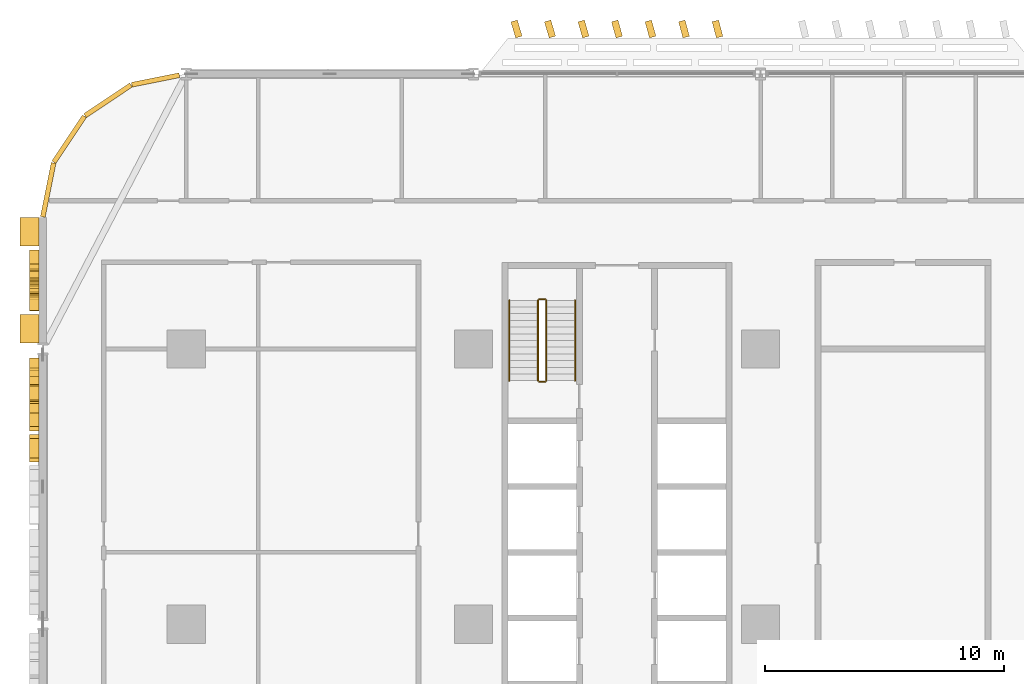
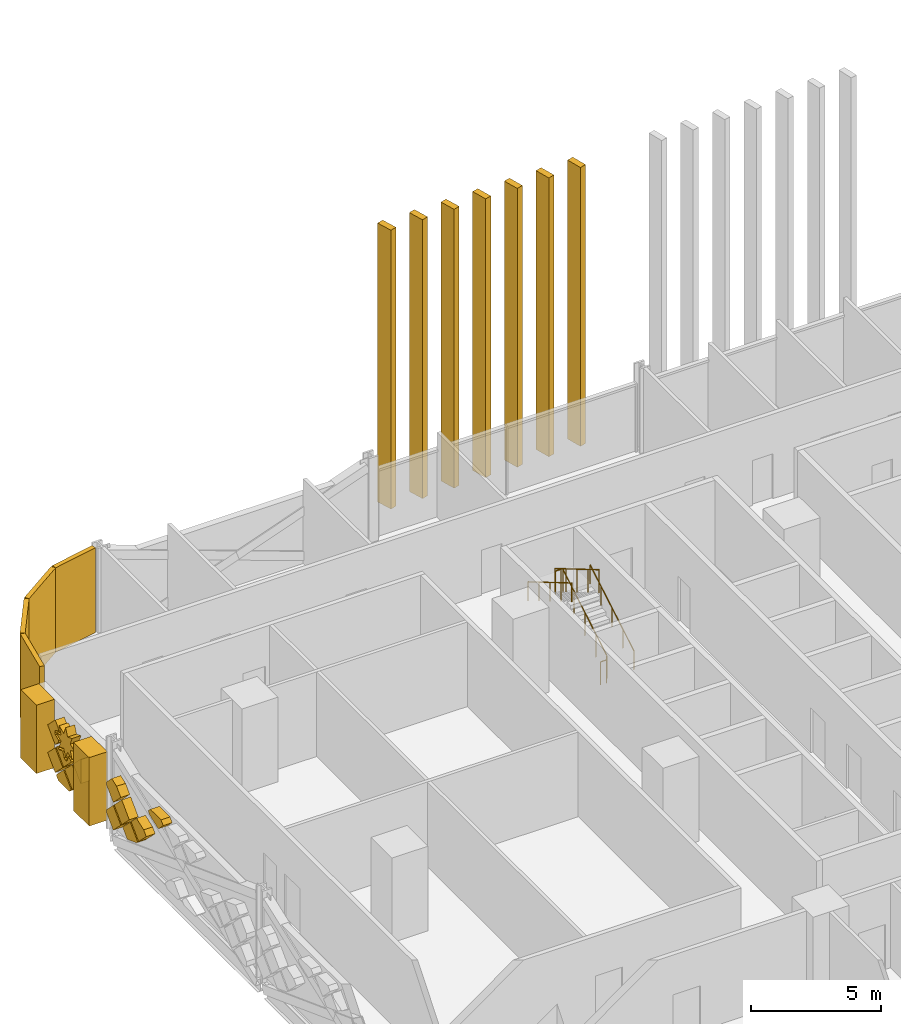
# One storey, part 25 of 29: 26 coverings, 6 railings.
"""IFC4 building model written with IfcOpenShell, lengths in metres."""

import ifcopenshell
import ifcopenshell.guid

model = None  # the IFC model being written
_history = None  # IfcOwnerHistory: only IFC2X3 demands one
_inside = {}  # id of a spatial element -> (the spatial element, [elements in it])
_under = {}  # id of a project, library or spatial element -> (it, [spatial elements below it])
_declared = {}  # id of a project -> (the project, [libraries it declares])
_typed = {}  # id of a type object -> (the type object, [elements of that type])
_made_of = {}  # id of a material, layer set ... -> (it, [elements and type objects made of it])


def new_model(schema):
    """Start an empty IFC model of exactly this schema.

    Asked for "IFC4X3", IfcOpenShell would pick the latest addendum, in which some entities
    have other attributes; the version numbers below select the first issue.
    IFC2X3 requires an IfcOwnerHistory on every rooted entity: one is made here for all.
    """
    global model, _history
    if schema == "IFC4X3":
        model = ifcopenshell.file(schema_version=(4, 3, 0, 0))
    else:
        model = ifcopenshell.file(schema=schema)
    _inside.clear()
    _under.clear()
    _declared.clear()
    _typed.clear()
    _made_of.clear()
    _history = None
    if model.schema == "IFC2X3":
        org = make("IfcOrganization", Name="unknown")
        user = make(
            "IfcPersonAndOrganization",
            ThePerson=make("IfcPerson", FamilyName="unknown"),
            TheOrganization=org,
        )
        app = make(
            "IfcApplication",
            ApplicationDeveloper=org,
            Version="unknown",
            ApplicationFullName="unknown",
            ApplicationIdentifier="unknown",
        )
        _history = make(
            "IfcOwnerHistory",
            OwningUser=user,
            OwningApplication=app,
            ChangeAction="ADDED",
            CreationDate=0,
        )
    return model


def make(cls, **values):
    """One entity of the class cls with the attributes given. An attribute that is None is left unset."""
    return model.create_entity(
        cls, **{name: value for name, value in values.items() if value is not None}
    )


def rooted(cls, **values):
    """An entity with a GlobalId (a new one), such as an element, a storey or a relation."""
    return make(cls, GlobalId=ifcopenshell.guid.new(), OwnerHistory=_history, **values)


def si_unit(unit_type, name, prefix=None):
    """IfcSIUnit, for example si_unit("LENGTHUNIT", "METRE", prefix="MILLI")."""
    return make("IfcSIUnit", UnitType=unit_type, Prefix=prefix, Name=name)


def assignment(units):
    """IfcUnitAssignment: the units of a project."""
    return None if units is None else make("IfcUnitAssignment", Units=units)


def point(xyz):
    """IfcCartesianPoint."""
    return None if xyz is None else make("IfcCartesianPoint", Coordinates=xyz)


def direction(xyz):
    """IfcDirection."""
    return None if xyz is None else make("IfcDirection", DirectionRatios=xyz)


def frame(location, z_axis=None, x_axis=None):
    """IfcAxis2Placement3D, a coordinate frame: its origin and axes. An axis left out is left unset."""
    return make(
        "IfcAxis2Placement3D",
        Location=point(location),
        Axis=direction(z_axis),
        RefDirection=direction(x_axis),
    )


def frame_2d(location, x_axis=None):
    """IfcAxis2Placement2D, a coordinate frame in the plane: its origin and x axis."""
    return make(
        "IfcAxis2Placement2D", Location=point(location), RefDirection=direction(x_axis)
    )


def origin():
    """The frame at (0, 0, 0) with its axes left unset."""
    return frame((0.0, 0.0, 0.0))


def origin_2d():
    """The frame at (0, 0) in the plane with its x axis left unset."""
    return frame_2d((0.0, 0.0))


def place(relative_to, where):
    """IfcLocalPlacement: puts the frame where relative to a parent placement (None: the world)."""
    return make(
        "IfcLocalPlacement", PlacementRelTo=relative_to, RelativePlacement=where
    )


def context(
    kind, dimensions, precision=None, world=None, true_north=None, identifier=None
):
    """IfcGeometricRepresentationContext, for example the 3D "Model" context."""
    return make(
        "IfcGeometricRepresentationContext",
        ContextIdentifier=identifier,
        ContextType=kind,
        CoordinateSpaceDimension=dimensions,
        Precision=precision,
        WorldCoordinateSystem=world,
        TrueNorth=true_north,
    )


def subcontext(parent, identifier, kind, view, scale=None):
    """IfcGeometricRepresentationSubContext, for example "Body" below "Model"."""
    return make(
        "IfcGeometricRepresentationSubContext",
        ContextIdentifier=identifier,
        ContextType=kind,
        ParentContext=parent,
        TargetScale=scale,
        TargetView=view,
    )


def project(units=None, contexts=None):
    """IfcProject with its units and contexts."""
    return rooted(
        "IfcProject",
        Name="project",
        RepresentationContexts=contexts,
        UnitsInContext=assignment(units),
    )


def spatial(cls, under=None, at=None, **own):
    """A site, building, storey or space (cls), placed at a placement, below another one or the project."""
    s = rooted(cls, ObjectPlacement=at, **own)
    if under is not None:
        _under.setdefault(under.id(), (under, []))[1].append(s)
    return s


def polyline(points):
    """IfcPolyline through the points."""
    return make("IfcPolyline", Points=[point(p) for p in points])


def profile(cls, at=None, kind="AREA", **sizes):
    """A parametric profile (cls). Its sizes go by their IFC names, for example OverallWidth=200.0."""
    return make(cls, ProfileType=kind, Position=at, **sizes)


def rectangle(**sizes):
    """IfcRectangleProfileDef."""
    return profile("IfcRectangleProfileDef", **sizes)


def circle(**sizes):
    """IfcCircleProfileDef."""
    return profile("IfcCircleProfileDef", **sizes)


def outline(outer, holes=None, kind="AREA"):
    """IfcArbitraryClosedProfileDef: a profile drawn as a closed curve; with holes, ...WithVoids."""
    if holes is None:
        return make("IfcArbitraryClosedProfileDef", ProfileType=kind, OuterCurve=outer)
    return make(
        "IfcArbitraryProfileDefWithVoids",
        ProfileType=kind,
        OuterCurve=outer,
        InnerCurves=holes,
    )


def extrude(swept, where, along, depth):
    """IfcExtrudedAreaSolid: the profile swept, set in the frame where, extruded along a direction by depth."""
    return make(
        "IfcExtrudedAreaSolid",
        SweptArea=swept,
        Position=where,
        ExtrudedDirection=direction(along),
        Depth=depth,
    )


def shape(context_of_items, identifier, shape_type, items):
    """IfcShapeRepresentation: the items that make up one representation, for example the "Body"."""
    return make(
        "IfcShapeRepresentation",
        ContextOfItems=context_of_items,
        RepresentationIdentifier=identifier,
        RepresentationType=shape_type,
        Items=items,
    )


def material(Name=None, Category=None):
    """IfcMaterial."""
    return make("IfcMaterial", Name=Name, Category=Category)


def layer(
    of_material, thickness, ventilated=None, Name=None, Category=None, Priority=None
):
    """IfcMaterialLayer: one layer of a wall or slab, of a material (None: an air gap)."""
    return make(
        "IfcMaterialLayer",
        Material=of_material,
        LayerThickness=thickness,
        IsVentilated=ventilated,
        Name=Name,
        Category=Category,
        Priority=Priority,
    )


def layer_set(layers, Name=None):
    """IfcMaterialLayerSet."""
    return make("IfcMaterialLayerSet", MaterialLayers=layers, LayerSetName=Name)


def made_of(thing, what):
    """Note that an element or type object is made of a material, layer set ...; save() writes the relation."""
    if what is not None:
        _made_of.setdefault(what.id(), (what, []))[1].append(thing)
    return thing


def type_object(cls, material=None, **own):
    """A type object (cls), such as IfcWallType, which elements share."""
    return made_of(rooted(cls, **own), material)


def element(
    cls,
    number,
    at=None,
    inside=None,
    cuts=None,
    type_object=None,
    material=None,
    context=None,
    identifier="Body",
    shape_type=None,
    held_by="IfcProductDefinitionShape",
    body=None,
    shapes=None,
    **own,
):
    """One element of the class cls, such as IfcWall. Its Tag is "e" and its number.

    at: its placement. inside: the storey or other place that contains it. cuts: it is an
    opening in that element (IfcRelVoidsElement). A single representation is given by context,
    identifier, shape_type and body (its items); several are given by shapes. held_by: the class
    of the entity that holds the representations. save() writes the other relations.
    """
    e = rooted(cls, Tag="e%d" % number, ObjectPlacement=at, **own)
    if body is not None:
        shapes = [shape(context, identifier, shape_type, body)]
    if shapes is not None:
        e.Representation = make(held_by, Representations=shapes)
    if inside is not None:
        _inside.setdefault(inside.id(), (inside, []))[1].append(e)
    if cuts is not None:
        rooted(
            "IfcRelVoidsElement", RelatingBuildingElement=cuts, RelatedOpeningElement=e
        )
    if type_object is not None:
        _typed.setdefault(type_object.id(), (type_object, []))[1].append(e)
    return made_of(e, material)


def aggregate(whole, parts):
    """IfcRelAggregates: a whole, such as a stair, and the parts it consists of."""
    return rooted("IfcRelAggregates", RelatingObject=whole, RelatedObjects=parts)


def save(model, path):
    """Write the relations noted so far, then the file.

    IfcRelAggregates (storeys below a building ...), IfcRelContainedInSpatialStructure (elements
    in a storey), IfcRelDefinesByType, IfcRelAssociatesMaterial and IfcRelDeclares: one each for
    every whole, place, type object, material and project.
    """
    for whole, parts in _under.values():
        aggregate(whole, parts)
    for where, things in _inside.values():
        rooted(
            "IfcRelContainedInSpatialStructure",
            RelatedElements=things,
            RelatingStructure=where,
        )
    for kind, things in _typed.values():
        rooted("IfcRelDefinesByType", RelatedObjects=things, RelatingType=kind)
    for what, things in _made_of.values():
        rooted("IfcRelAssociatesMaterial", RelatedObjects=things, RelatingMaterial=what)
    for by, libraries in _declared.values():
        rooted("IfcRelDeclares", RelatingContext=by, RelatedDefinitions=libraries)
    model.write(path)


model = new_model("IFC4")

# Units and contexts
model_context = context("Model", 3, precision=1e-05, world=origin(), true_north=direction((0.0, 1.0)))
body_context = subcontext(model_context, "Body", "Model", "MODEL_VIEW")
ifc_project = project(units=[si_unit("LENGTHUNIT", "METRE"), si_unit("AREAUNIT", "SQUARE_METRE"), si_unit("VOLUMEUNIT", "CUBIC_METRE"), si_unit("PLANEANGLEUNIT", "RADIAN"), si_unit("MASSUNIT", "GRAM", prefix="KILO")], contexts=[model_context])

# Site, building, storey
site_placement = place(None, origin())
site = spatial("IfcSite", under=ifc_project, at=site_placement, CompositionType="ELEMENT")
building_placement = place(site_placement, origin())
building = spatial("IfcBuilding", under=site, at=building_placement, Name="Mahtab Terrace Research Tower", CompositionType="ELEMENT")
storey_placement = place(building_placement, frame((0.0, 0.0, 24.39990234375)))
storey = spatial("IfcBuildingStorey", under=building, at=storey_placement, Name="L05", CompositionType="ELEMENT", Elevation=24.39990234375)

# Coverings
ifc_material_1 = material(Name="Black aluminium cladding panel", Category="aluminium")
ifc_layer_1 = layer(ifc_material_1, 0.199951171875)
ifc_layer_set_1 = layer_set([ifc_layer_1], Name="Black metal corner cladding 200")
covering_type_1 = type_object("IfcCoveringType", Name="Black metal corner cladding 200", PredefinedType="CLADDING", material=ifc_layer_set_1)
covering_1_placement = place(storey_placement, frame((-43.28173828125, 22.744873046875, 0.0), z_axis=(0.0, 0.0, 1.0), x_axis=(-0.980760981187, -0.195212442692, 0.0)))
element("IfcCovering", 1, at=covering_1_placement, inside=storey, type_object=covering_type_1, Name="Corner cladding L05 10", PredefinedType="CLADDING", context=body_context, shape_type="SweptSolid", body=[
    extrude(rectangle(XDim=2.0283203125, YDim=0.199951171875, at=origin_2d()), origin(), (0.0, 0.0, 1.0), 3.9599609375),
])
for number, where, z_axis, x_axis, name in (
    (2, (-45.26953125, 21.89306640625, 0.0), (0.0, 0.0, 1.0), (-0.831655794326, -0.555291490808, 0.0), "Corner cladding L05 11"),
    (3, (-46.89306640625, 20.26953125, 0.0), (0.0, 0.0, 1.0), (-0.555291490808, -0.831655794326, 0.0), "Corner cladding L05 12"),
    (4, (-47.771484375, 18.14794921875, 0.0), (0.0, 0.0, 1.0), (-0.195212442692, -0.980760981187, 0.0), "Corner cladding L05 13"),
):
    element("IfcCovering", number, at=place(storey_placement, frame(where, z_axis=z_axis, x_axis=x_axis)), inside=storey, type_object=covering_type_1, Name=name, PredefinedType="CLADDING", context=body_context, shape_type="SweptSolid", body=[
        extrude(rectangle(XDim=2.30126953125, YDim=0.199951171875, at=origin_2d()), origin(), (0.0, 0.0, 1.0), 3.9599609375),
    ])
ifc_material_2 = material(Name="Bronze anodised aluminium", Category="aluminium")
ifc_layer_2 = layer(ifc_material_2, 0.39990234375)
ifc_layer_set_2 = layer_set([ifc_layer_2], Name="Mashrabiya relief panel 400")
covering_type_2 = type_object("IfcCoveringType", Name="Mashrabiya relief panel 400", PredefinedType="CLADDING", material=ifc_layer_set_2)
covering_2_placement = place(storey_placement, frame((-48.14990234375, 14.10498046875, 2.60107421875), z_axis=(1.0, 0.0, 0.0), x_axis=(0.0, -0.924784909208, 0.380490304346)))
element("IfcCovering", 5, at=covering_2_placement, inside=storey, type_object=covering_type_2, Name="Girih star panel L05 W14.1", PredefinedType="CLADDING", context=body_context, shape_type="SweptSolid", body=[
    extrude(outline(polyline([(0.0, 0.0), (0.3785719822676483, 0.0), (0.11215445471266995, 0.26895807623038387), (0.37961207055159285, 0.5358142483447127), (0.0017974035497291263, 0.5371818243111587), (0.0018902966904386642, 0.9155280290130825), (-0.2670677795399452, 0.6491105014581041), (-0.5340168447949836, 0.9167938948627515), (-0.53529152762072, 0.5387534502951633), (-0.9138635098883683, 0.5387534502951632), (-0.6475388754740995, 0.270021151630504), (-0.9149964913130224, 0.0031649795161750593), (-0.5371818243111587, 0.0017974035497291263), (-0.5371818243111587, -0.3767745787179192), (-0.2682237480807748, -0.11035705116294083), (-0.0012746828257363951, -0.3780404445675883), (0.0, 0.0)])), origin(), (0.0, 0.0, -1.0), 0.39990234375),
])
covering_3_placement = place(storey_placement, frame((-48.14990234375, 15.050048828125, 1.530029296875), z_axis=(1.0, 0.0, 0.0), x_axis=(0.0, -0.707255598772, -0.706957932274)))
element("IfcCovering", 6, at=covering_3_placement, inside=storey, type_object=covering_type_2, Name="Mashrabiya lattice cell L05 W14.2", PredefinedType="CLADDING", context=body_context, shape_type="SweptSolid", body=[
    extrude(outline(polyline([(0.0, 0.0), (0.8201817362875763, 0.0), (0.8200090664636573, 0.8203543334390104), (-0.00017259715143413956, 0.8200090664636573), (0.0, 0.0)])), origin(), (0.0, 0.0, -1.0), 0.39990234375),
])
covering_4_placement = place(storey_placement, frame((-48.14990234375, 15.050048828125, 1.670166015625), z_axis=(1.0, 0.0, 0.0), x_axis=(0.0, 0.707106781187, 0.707106781187)))
element("IfcCovering", 7, at=covering_4_placement, inside=storey, type_object=covering_type_2, Name="Mashrabiya lattice cell L05 W14.3", PredefinedType="CLADDING", context=body_context, shape_type="SweptSolid", body=[
    extrude(outline(polyline([(0.0, 0.0), (0.8200090846279543, 0.0), (0.820181718119455, 0.820181718119455), (0.5218710448063802, 0.820181718119455), (0.3711620067263372, 0.7571704937217278), (0.46869992942418864, 0.5184183749763678), (0.4595503543746557, 0.4184635833975076), (0.40517080455195975, 0.3627029656428068), (0.32817626734268235, 0.34647541744174826), (0.0628385909062264, 0.4488470779016171), (0.0, 0.29831067331307476), (0.0, 0.0)])), origin(), (0.0, 0.0, -1.0), 0.39990234375),
])
covering_5_placement = place(storey_placement, frame((-48.14990234375, 14.97998046875, 0.300048828125), z_axis=(1.0, 0.0, 0.0), x_axis=(0.0, -0.707106781187, 0.707106781187)))
element("IfcCovering", 8, at=covering_5_placement, inside=storey, type_object=covering_type_2, Name="Mashrabiya lattice cell L05 W14.4", PredefinedType="CLADDING", context=body_context, shape_type="SweptSolid", body=[
    extrude(outline(polyline([(0.0, 0.0), (0.8203543516109556, 0.0), (0.820181718119455, 0.820181718119455), (0.5867812376106141, 0.8201817181194551), (0.0, 0.2334004805088409), (0.0, 0.0)])), origin(), (0.0, 0.0, -1.0), 0.39990234375),
])
covering_6_placement = place(storey_placement, frame((-48.14990234375, 13.820068359375, 1.60009765625), z_axis=(1.0, 0.0, 0.0), x_axis=(0.0, 0.706957932274, -0.707255598772)))
element("IfcCovering", 9, at=covering_6_placement, inside=storey, type_object=covering_type_2, Name="Mashrabiya lattice cell L05 W14.5", PredefinedType="CLADDING", context=body_context, shape_type="SweptSolid", body=[
    extrude(outline(polyline([(0.0, 0.0), (0.8201817362875763, 0.0), (0.8200090664636573, 0.8203543334390104), (0.6674010633575788, 0.8203222122007225), (0.6765677525746102, 0.7390137653259107), (0.6382583068597403, 0.6668449008312943), (0.37104724865108085, 0.5452546770037502), (0.47226359601594403, 0.2928858110586709), (0.46796145758741753, 0.22780207779854778), (0.436208087417592, 0.1746242777255646), (0.3802821046588682, 0.14008580724771275), (0.3152001882108655, 0.13575627129241125), (0.06278873618968497, 0.23686637148447576), (-1.8168121203594734e-05, 0.08631674383827972), (0.0, 0.0)])), origin(), (0.0, 0.0, -1.0), 0.39990234375),
])
covering_7_placement = place(storey_placement, frame((-48.14990234375, 13.75, 1.530029296875), z_axis=(1.0, 0.0, 0.0), x_axis=(0.0, -0.707255598772, -0.706957932274)))
element("IfcCovering", 10, at=covering_7_placement, inside=storey, type_object=covering_type_2, Name="Mashrabiya lattice cell L05 W14.6", PredefinedType="CLADDING", context=body_context, shape_type="SweptSolid", body=[
    extrude(outline(polyline([(0.0, 0.0), (0.8201817362875763, 0.0), (0.8200090664636573, 0.8203543334390104), (-0.0003452669753531423, 0.8201816636150915), (0.0, 0.0)])), origin(), (0.0, 0.0, -1.0), 0.39990234375),
])
covering_8_placement = place(storey_placement, frame((-48.14990234375, 13.10009765625, 1.02001953125), z_axis=(1.0, 0.0, 0.0), x_axis=(0.0, 0.706957932274, 0.707255598772)))
element("IfcCovering", 11, at=covering_8_placement, inside=storey, type_object=covering_type_2, Name="Mashrabiya lattice cell L05 W14.7", PredefinedType="CLADDING", context=body_context, shape_type="SweptSolid", body=[
    extrude(outline(polyline([(0.0, 0.0), (0.8201817362875763, 0.0), (0.8205270032629295, 0.8201816636150915), (0.7977393828896235, 0.8201864599990892), (4.796383997748149e-06, 0.022787620373305846), (0.0, 0.0)])), origin(), (0.0, 0.0, -1.0), 0.39990234375),
])
covering_9_placement = place(storey_placement, frame((-48.14990234375, 10.60107421875, 1.530029296875), z_axis=(1.0, 0.0, 0.0), x_axis=(0.0, -0.707255598772, -0.706957932274)))
element("IfcCovering", 12, at=covering_9_placement, inside=storey, type_object=covering_type_2, Name="Mashrabiya lattice cell L05 W15.1", PredefinedType="CLADDING", context=body_context, shape_type="SweptSolid", body=[
    extrude(outline(polyline([(0.0, 0.0), (0.8201817362875763, 0.0), (0.8200090664636573, 0.8203543334390104), (0.09184101544392964, 0.8202010671685369), (-0.0001532662704735177, 0.7281680510197277), (0.0, 0.0)])), origin(), (0.0, 0.0, -1.0), 0.39990234375),
])
covering_10_placement = place(storey_placement, frame((-48.14990234375, 10.02099609375, 2.25), z_axis=(1.0, 0.0, 0.0), x_axis=(0.0, 0.707255598772, -0.706957932274)))
element("IfcCovering", 13, at=covering_10_placement, inside=storey, type_object=covering_type_2, Name="Mashrabiya lattice cell L05 W15.2", PredefinedType="CLADDING", context=body_context, shape_type="SweptSolid", body=[
    extrude(outline(polyline([(0.0, 0.0), (0.8201817362875763, 0.0), (0.8203350025580498, 0.7281680510197277), (0.7283407208436468, 0.8202010671685369), (0.16417448311665045, 0.8203198140087236), (-7.557938420696408e-05, 0.4611040819203327), (0.0, 0.0)])), origin(), (0.0, 0.0, -1.0), 0.39990234375),
])
covering_11_placement = place(storey_placement, frame((-48.14990234375, 9.950927734375, 2.18017578125), z_axis=(1.0, 0.0, 0.0), x_axis=(0.0, -0.706957932274, -0.707255598772)))
element("IfcCovering", 14, at=covering_11_placement, inside=storey, type_object=covering_type_2, Name="Mashrabiya lattice cell L05 W15.3", PredefinedType="CLADDING", context=body_context, shape_type="SweptSolid", body=[
    extrude(outline(polyline([(0.0, 0.0), (0.8201817362875763, 0.0), (0.8205270032629295, 0.8201816636150915), (0.00017266982391900276, 0.8203543334390104), (0.0, 0.0)])), origin(), (0.0, 0.0, -1.0), 0.39990234375),
])
covering_12_placement = place(storey_placement, frame((-48.14990234375, 9.881103515625, 0.9501953125), z_axis=(1.0, 0.0, 0.0), x_axis=(0.0, -0.707255598772, 0.706957932274)))
element("IfcCovering", 15, at=covering_12_placement, inside=storey, type_object=covering_type_2, Name="Mashrabiya lattice cell L05 W15.4", PredefinedType="CLADDING", context=body_context, shape_type="SweptSolid", body=[
    extrude(outline(polyline([(0.0, 0.0), (0.8201817362875763, 0.0), (0.8205270032629295, 0.8201816636150915), (0.697266693061866, 0.8202076076921702), (0.00010602915534418944, 0.5037445170402004), (0.0, 0.0)])), origin(), (0.0, 0.0, -1.0), 0.39990234375),
])
covering_13_placement = place(storey_placement, frame((-48.14990234375, 8.071044921875, 1.60009765625), z_axis=(1.0, 0.0, 0.0), x_axis=(0.0, 0.706957932274, -0.707255598772)))
element("IfcCovering", 16, at=covering_13_placement, inside=storey, type_object=covering_type_2, Name="Mashrabiya lattice cell L05 W15.5", PredefinedType="CLADDING", context=body_context, shape_type="SweptSolid", body=[
    extrude(outline(polyline([(0.0, 0.0), (0.8201817362875763, 0.0), (0.8200090664636573, 0.8203543334390104), (0.2444490185500081, 0.8202331884068248), (-5.922807512373507e-05, 0.28139258491279184), (0.0, 0.0)])), origin(), (0.0, 0.0, -1.0), 0.39990234375),
])
covering_14_placement = place(storey_placement, frame((-48.14990234375, 7.930908203125, 2.900146484375), z_axis=(1.0, 0.0, 0.0), x_axis=(0.0, -0.707106781187, 0.707106781187)))
element("IfcCovering", 17, at=covering_14_placement, inside=storey, type_object=covering_type_2, Name="Mashrabiya lattice cell L05 W15.6", PredefinedType="CLADDING", context=body_context, shape_type="SweptSolid", body=[
    extrude(outline(polyline([(0.0, 0.0), (0.2375436843048558, 0.0), (0.820181718119455, 0.5826380338145992), (0.820181718119455, 0.820181718119455), (0.2926137680935542, 0.820181718119455), (0.0, 0.1767766952966369), (0.0, 0.0)])), origin(), (0.0, 0.0, -1.0), 0.39990234375),
])
ifc_material_3 = material(Name="Glazed ceramic tile cladding", Category="masonry")
ifc_layer_3 = layer(ifc_material_3, 0.800048828125)
ifc_layer_set_3 = layer_set([ifc_layer_3], Name="Pishtaq frame pier 800")
covering_type_3 = type_object("IfcCoveringType", Name="Pishtaq frame pier 800", PredefinedType="CLADDING", material=ifc_layer_set_3)
for number, where, z_axis, x_axis, name in (
    (18, (-48.550048828125, 16.39990234375, 0.00048828125), (0.0, 0.0, 1.0), (0.0, -1.0, 0.0), "Pishtaq frame pier 14a"),
    (19, (-48.550048828125, 12.34912109375, 0.00048828125), (0.0, 0.0, 1.0), (0.0, -1.0, 0.0), "Pishtaq frame pier 14b"),
):
    element("IfcCovering", number, at=place(storey_placement, frame(where, z_axis=z_axis, x_axis=x_axis)), inside=storey, type_object=covering_type_3, Name=name, PredefinedType="CLADDING", context=body_context, shape_type="SweptSolid", body=[
        extrude(rectangle(XDim=1.199951171875, YDim=0.800048828125, at=origin_2d()), origin(), (0.0, 0.0, 1.0), 3.202880859375),
    ])

# Railings
ifc_material_4 = material(Name="Stainless steel AISI 304", Category="steel")
railing_type_1 = type_object("IfcRailingType", Name="Stair guard 1100", PredefinedType="GUARDRAIL", material=ifc_material_4)
railing_1_placement = place(storey_placement, frame((-26.949951171875, 10.175048828125, 0.16552734375)))
element("IfcRailing", 20, at=railing_1_placement, inside=storey, type_object=railing_type_1, Name="L05 ST1 stair guard 1", PredefinedType="GUARDRAIL", context=body_context, shape_type="SweptSolid", body=[
    extrude(circle(Radius=0.02392578125, at=origin_2d()), frame((0.0, 0.0, 1.076171875), z_axis=(0.0, 0.861011212953, 0.508585972249), x_axis=(-1.0, 0.0, 0.0)), (0.0, 0.0, 1.0), 3.90234375),
    extrude(circle(Radius=0.02099609375, at=origin_2d()), origin(), (0.0, 0.0, 1.0), 1.052001953125),
    extrude(circle(Radius=0.02099609375, at=origin_2d()), frame((0.0, 0.83984375, 0.49609375)), (0.0, 0.0, 1.0), 1.052001953125),
    extrude(circle(Radius=0.02099609375, at=origin_2d()), frame((0.0, 1.679931640625, 0.9921875)), (0.0, 0.0, 1.0), 1.052001953125),
    extrude(circle(Radius=0.02099609375, at=origin_2d()), frame((0.0, 2.52001953125, 1.488525390625)), (0.0, 0.0, 1.0), 1.052001953125),
    extrude(circle(Radius=0.02099609375, at=origin_2d()), frame((0.0, 3.35986328125, 1.984619140625)), (0.0, 0.0, 1.0), 1.052001953125),
])
railing_2_placement = place(storey_placement, frame((-27.0, 13.5849609375, 2.150146484375)))
element("IfcRailing", 21, at=railing_2_placement, inside=storey, type_object=railing_type_1, Name="L05 ST1 stair guard 2", PredefinedType="GUARDRAIL", context=body_context, shape_type="SweptSolid", body=[
    extrude(circle(Radius=0.02392578125, at=origin_2d()), frame((0.0, 0.0, 1.076171875), z_axis=(-1.0, 0.0, 0.0), x_axis=(0.0, -1.0, 0.0)), (0.0, 0.0, 1.0), 0.25),
    extrude(circle(Radius=0.02099609375, at=origin_2d()), origin(), (0.0, 0.0, 1.0), 1.052001953125),
    extrude(circle(Radius=0.02099609375, at=origin_2d()), frame((-0.25, 0.0, 0.0)), (0.0, 0.0, 1.0), 1.052001953125),
])
railing_3_placement = place(storey_placement, frame((-27.300048828125, 13.534912109375, 2.3154296875)))
element("IfcRailing", 22, at=railing_3_placement, inside=storey, type_object=railing_type_1, Name="L05 ST1 stair guard 3", PredefinedType="GUARDRAIL", context=body_context, shape_type="SweptSolid", body=[
    extrude(circle(Radius=0.02392578125, at=origin_2d()), frame((0.0, 0.0, 1.076171875), z_axis=(0.0, -0.861011212953, 0.508585972249), x_axis=(1.0, 0.0, 0.0)), (0.0, 0.0, 1.0), 3.90234375),
    extrude(circle(Radius=0.02099609375, at=origin_2d()), origin(), (0.0, 0.0, 1.0), 1.052001953125),
    extrude(circle(Radius=0.02099609375, at=origin_2d()), frame((0.0, -0.83984375, 0.49609375)), (0.0, 0.0, 1.0), 1.052001953125),
    extrude(circle(Radius=0.02099609375, at=origin_2d()), frame((0.0, -1.679931640625, 0.9921875)), (0.0, 0.0, 1.0), 1.052001953125),
    extrude(circle(Radius=0.02099609375, at=origin_2d()), frame((0.0, -2.52001953125, 1.488525390625)), (0.0, 0.0, 1.0), 1.052001953125),
    extrude(circle(Radius=0.02099609375, at=origin_2d()), frame((0.0, -3.35986328125, 1.984619140625)), (0.0, 0.0, 1.0), 1.052001953125),
])
railing_4_placement = place(storey_placement, frame((-27.0, 10.125, 0.0)))
element("IfcRailing", 23, at=railing_4_placement, inside=storey, type_object=railing_type_1, Name="L05 ST1 stair guard 4", PredefinedType="GUARDRAIL", context=body_context, shape_type="SweptSolid", body=[
    extrude(circle(Radius=0.02392578125, at=origin_2d()), frame((0.0, 0.0, 1.076171875), z_axis=(-1.0, 0.0, 0.0), x_axis=(0.0, -1.0, 0.0)), (0.0, 0.0, 1.0), 0.25),
    extrude(circle(Radius=0.02099609375, at=origin_2d()), origin(), (0.0, 0.0, 1.0), 1.052001953125),
    extrude(circle(Radius=0.02099609375, at=origin_2d()), frame((-0.25, 0.0, 0.0)), (0.0, 0.0, 1.0), 1.052001953125),
])
railing_type_2 = type_object("IfcRailingType", Name="Stair handrail 900", PredefinedType="HANDRAIL", material=ifc_material_4)
railing_5_placement = place(storey_placement, frame((-25.75, 10.175048828125, 0.16552734375)))
element("IfcRailing", 24, at=railing_5_placement, inside=storey, type_object=railing_type_2, Name="L05 ST1 stair handrail 1", PredefinedType="HANDRAIL", context=body_context, shape_type="SweptSolid", body=[
    extrude(circle(Radius=0.02392578125, at=origin_2d()), frame((0.0, 0.0, 0.8759765625), z_axis=(0.0, 0.861011212953, 0.508585972249), x_axis=(-1.0, 0.0, 0.0)), (0.0, 0.0, 1.0), 3.90234375),
    extrude(circle(Radius=0.02099609375, at=origin_2d()), origin(), (0.0, 0.0, 1.0), 0.851806640625),
    extrude(circle(Radius=0.02099609375, at=origin_2d()), frame((0.0, 0.83984375, 0.49609375)), (0.0, 0.0, 1.0), 0.851806640625),
    extrude(circle(Radius=0.02099609375, at=origin_2d()), frame((0.0, 1.679931640625, 0.9921875)), (0.0, 0.0, 1.0), 0.851806640625),
    extrude(circle(Radius=0.02099609375, at=origin_2d()), frame((0.0, 2.52001953125, 1.488525390625)), (0.0, 0.0, 1.0), 0.851806640625),
    extrude(circle(Radius=0.02099609375, at=origin_2d()), frame((0.0, 3.35986328125, 1.984619140625)), (0.0, 0.0, 1.0), 0.851806640625),
])
railing_6_placement = place(storey_placement, frame((-28.5, 13.534912109375, 2.3154296875)))
element("IfcRailing", 25, at=railing_6_placement, inside=storey, type_object=railing_type_2, Name="L05 ST1 stair handrail 2", PredefinedType="HANDRAIL", context=body_context, shape_type="SweptSolid", body=[
    extrude(circle(Radius=0.02392578125, at=origin_2d()), frame((0.0, 0.0, 0.8759765625), z_axis=(0.0, -0.861011212953, 0.508585972249), x_axis=(1.0, 0.0, 0.0)), (0.0, 0.0, 1.0), 3.90234375),
    extrude(circle(Radius=0.02099609375, at=origin_2d()), origin(), (0.0, 0.0, 1.0), 0.851806640625),
    extrude(circle(Radius=0.02099609375, at=origin_2d()), frame((0.0, -0.83984375, 0.49609375)), (0.0, 0.0, 1.0), 0.851806640625),
    extrude(circle(Radius=0.02099609375, at=origin_2d()), frame((0.0, -1.679931640625, 0.9921875)), (0.0, 0.0, 1.0), 0.851806640625),
    extrude(circle(Radius=0.02099609375, at=origin_2d()), frame((0.0, -2.52001953125, 1.488525390625)), (0.0, 0.0, 1.0), 0.851806640625),
    extrude(circle(Radius=0.02099609375, at=origin_2d()), frame((0.0, -3.35986328125, 1.984619140625)), (0.0, 0.0, 1.0), 0.851806640625),
])

# Coverings
ifc_layer_4 = layer(ifc_material_2, 0.1201171875)
ifc_layer_set_4 = layer_set([ifc_layer_4], Name="Vertical fin 700")
covering_type_4 = type_object("IfcCoveringType", Name="Vertical fin 700", PredefinedType="CLADDING", material=ifc_layer_set_4)
for number, where, z_axis, x_axis, name in (
    (26, (-19.800048828125, 24.8740234375, -0.14990234375), (0.0, 0.0, 1.0), (-0.967204452546, -0.253999108219, 0.0), "Fin L05 N1"),
    (27, (-21.199951171875, 24.874267578125, -0.14990234375), (0.0, 0.0, 1.0), (-0.965710385828, -0.259621745437, 0.0), "Fin L05 N2"),
    (28, (-22.60009765625, 24.87451171875, -0.14990234375), (0.0, 0.0, 1.0), (-0.964183633406, -0.265235595407, 0.0), "Fin L05 N3"),
    (29, (-24.0, 24.874755859375, -0.14990234375), (0.0, 0.0, 1.0), (-0.962624246951, -0.270840468138, 0.0), "Fin L05 N4"),
    (30, (-25.39990234375, 24.875, -0.14990234375), (0.0, 0.0, 1.0), (-0.961032279237, -0.276436173942, 0.0), "Fin L05 N5"),
    (31, (-26.800048828125, 24.875244140625, -0.14990234375), (0.0, 0.0, 1.0), (-0.959407784156, -0.282022523392, 0.0), "Fin L05 N6"),
    (32, (-28.199951171875, 24.87548828125, -0.14990234375), (0.0, 0.0, 1.0), (-0.957750816686, -0.287599327427, 0.0), "Fin L05 N7"),
):
    element("IfcCovering", number, at=place(storey_placement, frame(where, z_axis=z_axis, x_axis=x_axis)), inside=storey, type_object=covering_type_4, Name=name, PredefinedType="CLADDING", context=body_context, shape_type="SweptSolid", body=[
        extrude(rectangle(XDim=0.280029296875, YDim=0.699951171875, at=origin_2d()), origin(), (0.0, 0.0, 1.0), 13.050048828125),
    ])

save(model, "model.ifc")
